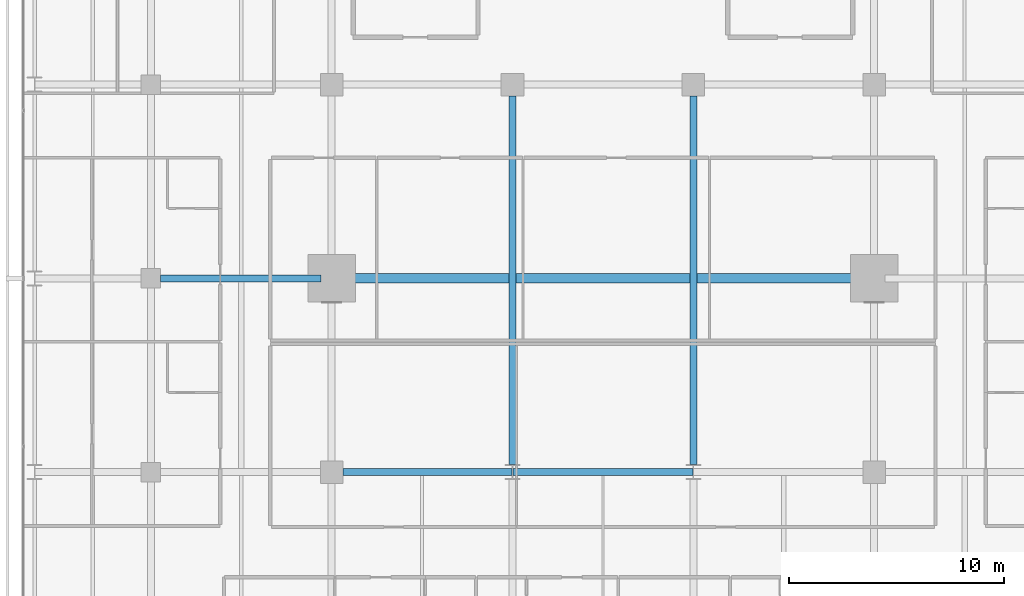
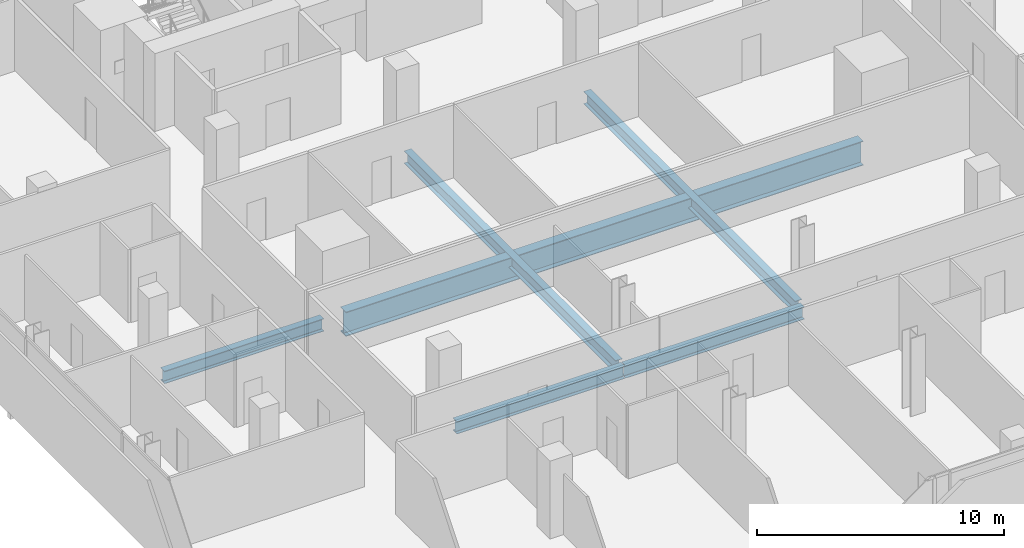
# One storey, part 13 of 39: 6 beams.
"""IFC4 building model written with IfcOpenShell, lengths in metres."""

from ifc_helpers import new_model, si_unit, direction, frame, origin, origin_2d, place, context, subcontext, project, spatial, i_section, extrude, material, material_profile, profile_set, type_object, element, save


model = new_model("IFC4")

# Units and contexts
model_context = context("Model", 3, precision=1e-05, world=origin(), true_north=direction((0.0, 1.0)))
body_context = subcontext(model_context, "Body", "Model", "MODEL_VIEW")
ifc_project = project(units=[si_unit("LENGTHUNIT", "METRE"), si_unit("AREAUNIT", "SQUARE_METRE"), si_unit("VOLUMEUNIT", "CUBIC_METRE"), si_unit("PLANEANGLEUNIT", "RADIAN"), si_unit("MASSUNIT", "GRAM", prefix="KILO")], contexts=[model_context])

# Site, building, storey
site_placement = place(None, origin())
site = spatial("IfcSite", under=ifc_project, at=site_placement, CompositionType="ELEMENT")
building_placement = place(site_placement, origin())
building = spatial("IfcBuilding", under=site, at=building_placement, Name="Maruvema Waterfront Hotel and Observation Tower", CompositionType="ELEMENT")
storey_placement = place(building_placement, frame((0.0, 0.0, 69.300048828125)))
storey = spatial("IfcBuildingStorey", under=building, at=storey_placement, Name="L16", CompositionType="ELEMENT", Elevation=69.300048828125)

# Beams
ifc_material_1 = material(Name="Steel ASTM A572 Grade 50", Category="steel")
ifc_material_profile_1 = material_profile(ifc_material_1, i_section(OverallWidth=0.326904296875, OverallDepth=0.6220703125, WebThickness=0.015380859375, FlangeThickness=0.0244140625, FilletRadius=0.01806640625, at=origin_2d()), Name="W610x195.0")
ifc_profile_set_1 = profile_set([ifc_material_profile_1], Name="Steel ASTM A572 Grade 50")
beam_type_1 = type_object("IfcBeamType", Name="Primary Floor Girder W610x195.0", PredefinedType="BEAM", material=ifc_profile_set_1)
beam_1_placement = place(storey_placement, frame((25.72509765625, 18.0, -0.551025390625), z_axis=(1.0, 0.0, 0.0), x_axis=(0.0, 1.0, 0.0)))
element("IfcBeam", 1, at=beam_1_placement, inside=storey, type_object=beam_type_1, Name="L16 Floor Girder EW-15", PredefinedType="BEAM", context=body_context, shape_type="SweptSolid", body=[
    extrude(i_section(OverallWidth=0.326904296875, OverallDepth=0.6220703125, WebThickness=0.015380859375, FlangeThickness=0.0244140625, FilletRadius=0.01806640625, at=origin_2d()), origin(), (0.0, 0.0, 1.0), 7.86083984375),
])
beam_2_placement = place(storey_placement, frame((33.614013671875, 18.0, -0.551025390625), z_axis=(1.0, 0.0, 0.0), x_axis=(0.0, 1.0, 0.0)))
element("IfcBeam", 2, at=beam_2_placement, inside=storey, type_object=beam_type_1, Name="L16 Floor Girder EW-16", PredefinedType="BEAM", context=body_context, shape_type="SweptSolid", body=[
    extrude(i_section(OverallWidth=0.326904296875, OverallDepth=0.6220703125, WebThickness=0.015380859375, FlangeThickness=0.0244140625, FilletRadius=0.01806640625, at=origin_2d()), origin(), (0.0, 0.0, 1.0), 8.3720703125),
])
beam_3_placement = place(storey_placement, frame((17.25, 27.0, -0.551025390625), z_axis=(1.0, 0.0, 0.0), x_axis=(0.0, 1.0, 0.0)))
element("IfcBeam", 3, at=beam_3_placement, inside=storey, type_object=beam_type_1, Name="L16 Floor Girder EW-21", PredefinedType="BEAM", context=body_context, shape_type="SweptSolid", body=[
    extrude(i_section(OverallWidth=0.326904296875, OverallDepth=0.6220703125, WebThickness=0.015380859375, FlangeThickness=0.0244140625, FilletRadius=0.01806640625, at=origin_2d()), origin(), (0.0, 0.0, 1.0), 7.449951171875),
])
for number, where, z_axis, x_axis, name in (
    (4, (33.60009765625, 18.35009765625, -0.551025390625), (0.0, 1.0, 0.0), (-1.0, 0.0, 0.0), "L16 Floor Girder NS-18"),
    (5, (42.0, 18.35009765625, -0.551025390625), (0.0, 1.0, 0.0), (-1.0, 0.0, 0.0), "L16 Floor Girder NS-21"),
):
    element("IfcBeam", number, at=place(storey_placement, frame(where, z_axis=z_axis, x_axis=x_axis)), inside=storey, type_object=beam_type_1, Name=name, PredefinedType="BEAM", context=body_context, shape_type="SweptSolid", body=[
        extrude(i_section(OverallWidth=0.326904296875, OverallDepth=0.6220703125, WebThickness=0.015380859375, FlangeThickness=0.0244140625, FilletRadius=0.01806640625, at=origin_2d()), origin(), (0.0, 0.0, 1.0), 17.125),
    ])
ifc_material_2 = material(Name="Steel ABNT NBR 7007 AR 415 (ASTM A572 Grade 50)", Category="steel")
ifc_material_profile_2 = material_profile(ifc_material_2, i_section(OverallWidth=0.449951171875, OverallDepth=1.199951171875, WebThickness=0.01904296875, FlangeThickness=0.031982421875, at=origin_2d()), Name="VS1200x366")
ifc_profile_set_2 = profile_set([ifc_material_profile_2], Name="Steel ABNT NBR 7007 AR 415 (ASTM A572 Grade 50)")
beam_type_2 = type_object("IfcBeamType", Name="Upper Setback Transfer Girder VS1200x366", PredefinedType="USERDEFINED", material=ifc_profile_set_2)
beam_4_placement = place(storey_placement, frame((25.699951171875, 27.0, -0.840087890625), z_axis=(1.0, 0.0, 0.0), x_axis=(0.0, 1.0, 0.0)))
element("IfcBeam", 6, at=beam_4_placement, inside=storey, type_object=beam_type_2, Name="L16 Floor Girder EW-22", ObjectType="TRANSFER GIRDER", PredefinedType="USERDEFINED", context=body_context, shape_type="SweptSolid", body=[
    extrude(i_section(OverallWidth=0.449951171875, OverallDepth=1.199951171875, WebThickness=0.01904296875, FlangeThickness=0.031982421875, at=origin_2d()), origin(), (0.0, 0.0, 1.0), 24.199951171875),
])

save(model, "model.ifc")
